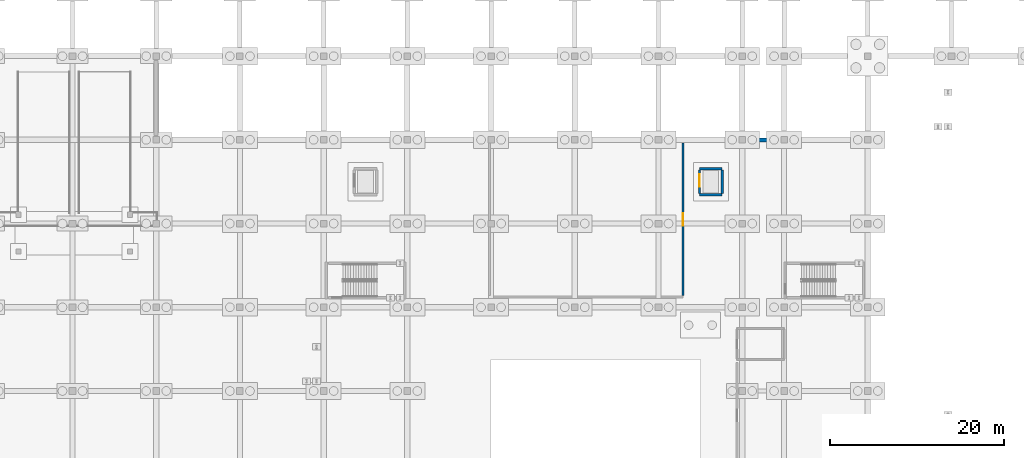
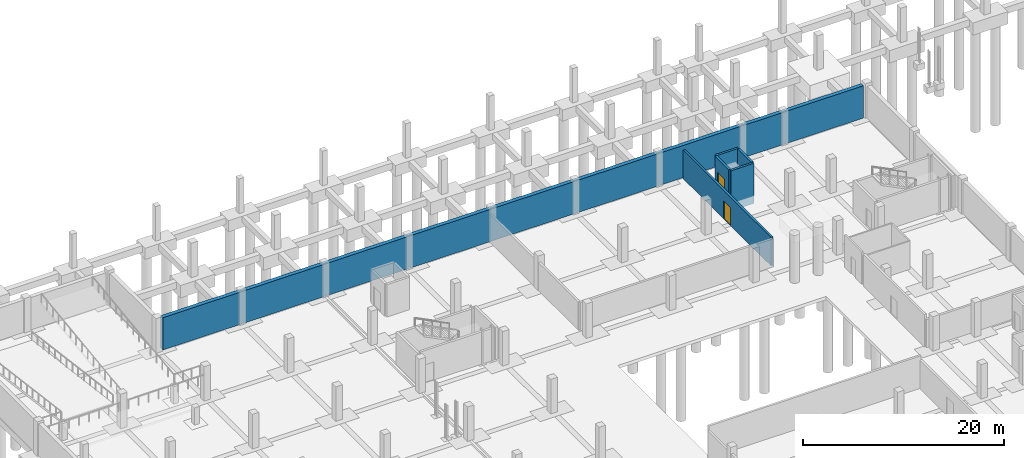
# One storey, part 42 of 54: 6 walls, 2 doors, 2 openings.
"""IFC4 building model written with IfcOpenShell, lengths in metres."""

from ifc_helpers import new_model, si_unit, direction, frame, frame_2d, origin, place, context, subcontext, project, spatial, rectangle, extrude, material, layer, layer_set, type_object, element, fill, save


model = new_model("IFC4")

# Units and contexts
model_context = context("Model", 3, precision=1e-05, world=origin(), true_north=direction((0.0, 1.0)))
body_context = subcontext(model_context, "Body", "Model", "MODEL_VIEW")
ifc_project = project(units=[si_unit("LENGTHUNIT", "METRE"), si_unit("AREAUNIT", "SQUARE_METRE"), si_unit("VOLUMEUNIT", "CUBIC_METRE"), si_unit("PLANEANGLEUNIT", "RADIAN"), si_unit("MASSUNIT", "GRAM", prefix="KILO")], contexts=[model_context])

# Site, building, storey
site_placement = place(None, origin())
site = spatial("IfcSite", under=ifc_project, at=site_placement, CompositionType="ELEMENT")
building_placement = place(site_placement, origin())
building = spatial("IfcBuilding", under=site, at=building_placement, Name="Zevrakil Square Congress Hotel", CompositionType="ELEMENT")
storey_placement = place(building_placement, frame((0.0, 0.0, -8.39990234375)))
storey = spatial("IfcBuildingStorey", under=building, at=storey_placement, Name="B2", CompositionType="ELEMENT", Elevation=-8.39990234375)

# Wall, opening, door
ifc_material_1 = material(Name="Concrete C35/45", Category="concrete")
ifc_layer_1 = layer(ifc_material_1, 0.239990234375)
ifc_layer_set_1 = layer_set([ifc_layer_1], Name="Concrete C35/45")
wall_type_1 = type_object("IfcWallType", Name="WAL-COMP-240", PredefinedType="SOLIDWALL", material=ifc_layer_set_1)
wall_1_placement = place(storey_placement, frame((96.39990234375, 85.324951171875, 0.0), z_axis=(0.0, 0.0, 1.0), x_axis=(0.0, 1.0, 0.0)))
wall_1 = element("IfcWall", 1, at=wall_1_placement, inside=storey, type_object=wall_type_1, Name="B2 interior partition PW-B2-0094", PredefinedType="SOLIDWALL", context=body_context, shape_type="SweptSolid", body=[
    extrude(rectangle(XDim=17.5, YDim=0.239990234375, at=frame_2d((8.75, 0.0))), origin(), (0.0, 0.0, 1.0), 3.474853515625),
])
opening_1_placement = place(wall_1_placement, frame((8.050048828125, 0.0, 0.0)))
opening_1 = element("IfcOpeningElement", 2, at=opening_1_placement, cuts=wall_1, Name="Opening ID-09", PredefinedType="OPENING", context=body_context, shape_type="SweptSolid", body=[
    extrude(rectangle(XDim=1.39990234375, YDim=2.199951171875, at=frame_2d((0.699951171875, 1.10009765625))), frame((0.0, 0.1298828125, 0.0), z_axis=(0.0, -1.0, 0.0), x_axis=(1.0, 0.0, 0.0)), (0.0, 0.0, 1.0), 0.260009765625),
])
ifc_material_2 = material(Name="Steel S355 Louvred Plant Fire Door", Category="steel")
door_type_1 = type_object("IfcDoorType", Name="DOR-PLANT-140", OperationType="NOTDEFINED", PredefinedType="DOOR", material=ifc_material_2)
door_1_placement = place(opening_1_placement, origin())
door_1 = element("IfcDoor", 3, at=door_1_placement, inside=storey, type_object=door_type_1, Name="B2 interior door 33", OperationType="SINGLE_SWING_LEFT", OverallHeight=2.199951171875, OverallWidth=1.39990234375, PredefinedType="DOOR", context=body_context, shape_type="SweptSolid", body=[
    extrude(rectangle(XDim=1.39990234375, YDim=2.199951171875, at=frame_2d((0.699951171875, 1.10009765625))), frame((0.0, 0.02490234375, 0.0), z_axis=(0.0, -1.0, 0.0), x_axis=(1.0, 0.0, 0.0)), (0.0, 0.0, 1.0), 0.050048828125),
])
fill(opening_1, door_1)

# Walls
ifc_material_3 = material(Name="Concrete C40/50", Category="concrete")
ifc_layer_2 = layer(ifc_material_3, 0.449951171875)
ifc_layer_set_2 = layer_set([ifc_layer_2], Name="Concrete C40/50")
wall_type_2 = type_object("IfcWallType", Name="WAL-RET-450", PredefinedType="SOLIDWALL", material=ifc_layer_set_2)
wall_2_placement = place(storey_placement, frame((117.10009765625, 103.199951171875, 0.0), z_axis=(0.0, 0.0, 1.0), x_axis=(-1.0, 0.0, 0.0)))
element("IfcWall", 4, at=wall_2_placement, inside=storey, type_object=wall_type_2, Name="B2 perimeter concrete retaining wall 5", PredefinedType="SOLIDWALL", context=body_context, shape_type="SweptSolid", body=[
    extrude(rectangle(XDim=80.60009765625, YDim=0.449951171875, at=frame_2d((40.300048828125, 0.0))), origin(), (0.0, 0.0, 1.0), 3.929931640625),
])
ifc_material_4 = material(Name="Concrete C40/50", Category="concrete")
ifc_layer_3 = layer(ifc_material_4, 0.260009765625)
ifc_layer_set_3 = layer_set([ifc_layer_3], Name="Concrete C40/50")
wall_type_3 = type_object("IfcWallType", Name="WAL-SHAFT-260", PredefinedType="SHEAR", material=ifc_layer_set_3)
for number, where, z_axis, x_axis, name in (
    (5, (98.300048828125, 96.89990234375, -0.9501953125), (0.0, 0.0, 1.0), (1.0, 0.0, 0.0), "B2 SL3 lift shaft wall"),
    (6, (98.300048828125, 99.89990234375, -0.9501953125), (0.0, 0.0, 1.0), (1.0, 0.0, 0.0), "B2 SL3 lift shaft wall"),
):
    element("IfcWall", number, at=place(storey_placement, frame(where, z_axis=z_axis, x_axis=x_axis)), inside=storey, type_object=wall_type_3, Name=name, PredefinedType="SHEAR", context=body_context, shape_type="SweptSolid", body=[
        extrude(rectangle(XDim=2.599853515625, YDim=0.260009765625, at=frame_2d((1.2998046875, 0.0))), origin(), (0.0, 0.0, 1.0), 4.880126953125),
    ])

# Wall, opening, door
wall_3_placement = place(storey_placement, frame((98.300048828125, 97.0400390625, -0.9501953125), z_axis=(0.0, 0.0, 1.0), x_axis=(0.0, 1.0, 0.0)))
wall_3 = element("IfcWall", 7, at=wall_3_placement, inside=storey, type_object=wall_type_3, Name="B2 SL3 lift shaft wall", PredefinedType="SHEAR", context=body_context, shape_type="SweptSolid", body=[
    extrude(rectangle(XDim=2.719970703125, YDim=0.260009765625, at=frame_2d((1.35986328125, 0.0))), origin(), (0.0, 0.0, 1.0), 4.880126953125),
])
opening_2_placement = place(wall_3_placement, frame((0.800048828125, 0.0, 0.949951171875)))
opening_2 = element("IfcOpeningElement", 8, at=opening_2_placement, cuts=wall_3, Name="Opening LD-SL3", PredefinedType="OPENING", context=body_context, shape_type="SweptSolid", body=[
    extrude(rectangle(XDim=1.39990234375, YDim=2.300048828125, at=frame_2d((0.699951171875, 1.14990234375))), frame((0.0, 0.14013671875, 0.0), z_axis=(0.0, -1.0, 0.0), x_axis=(1.0, 0.0, 0.0)), (0.0, 0.0, 1.0), 0.280029296875),
])
ifc_material_5 = material(Name="Goods Service Sliding Landing Door")
door_type_2 = type_object("IfcDoorType", Name="DOR-LIFT-LD140", OperationType="NOTDEFINED", PredefinedType="DOOR", material=ifc_material_5)
door_2_placement = place(opening_2_placement, origin())
door_2 = element("IfcDoor", 9, at=door_2_placement, inside=storey, type_object=door_type_2, Name="B2 SL3 sliding lift landing door", OperationType="SLIDING_TO_LEFT", OverallHeight=2.300048828125, OverallWidth=1.39990234375, PredefinedType="DOOR", context=body_context, shape_type="SweptSolid", body=[
    extrude(rectangle(XDim=1.39990234375, YDim=2.300048828125, at=frame_2d((0.699951171875, 1.14990234375))), frame((0.0, 0.02490234375, 0.0), z_axis=(0.0, -1.0, 0.0), x_axis=(1.0, 0.0, 0.0)), (0.0, 0.0, 1.0), 0.050048828125),
])
fill(opening_2, door_2)

# Wall
wall_4_placement = place(storey_placement, frame((100.89990234375, 97.0400390625, -0.9501953125), z_axis=(0.0, 0.0, 1.0), x_axis=(0.0, 1.0, 0.0)))
element("IfcWall", 10, at=wall_4_placement, inside=storey, type_object=wall_type_3, Name="B2 SL3 lift shaft wall", PredefinedType="SHEAR", context=body_context, shape_type="SweptSolid", body=[
    extrude(rectangle(XDim=2.719970703125, YDim=0.260009765625, at=frame_2d((1.35986328125, 0.0))), origin(), (0.0, 0.0, 1.0), 4.880126953125),
])

save(model, "model.ifc")
